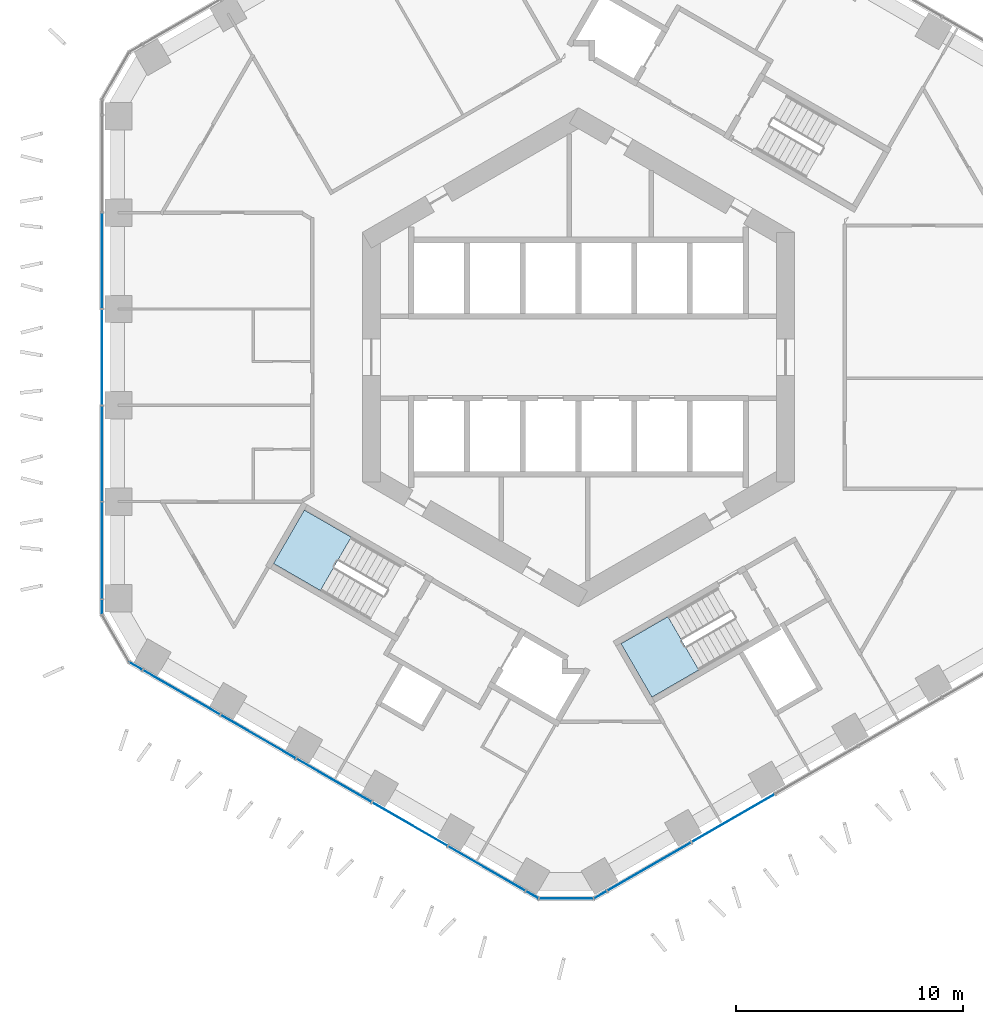
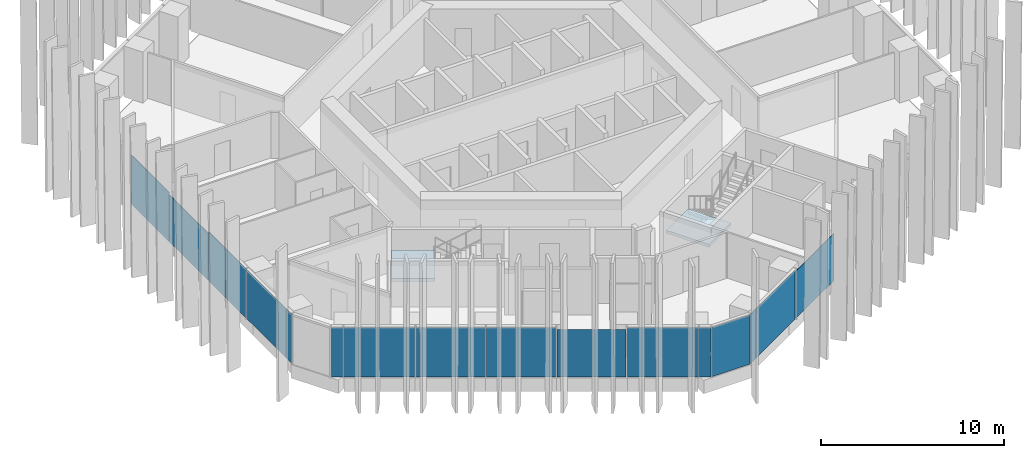
# One storey, part 8 of 19: 16 plates, 2 slabs, 7 elements without a shape of their own.
"""IFC4 building model written with IfcOpenShell, lengths in metres."""

import ifcopenshell
import ifcopenshell.guid

model = None  # the IFC model being written
_history = None  # IfcOwnerHistory: only IFC2X3 demands one
_inside = {}  # id of a spatial element -> (the spatial element, [elements in it])
_under = {}  # id of a project, library or spatial element -> (it, [spatial elements below it])
_declared = {}  # id of a project -> (the project, [libraries it declares])
_typed = {}  # id of a type object -> (the type object, [elements of that type])
_made_of = {}  # id of a material, layer set ... -> (it, [elements and type objects made of it])


def new_model(schema):
    """Start an empty IFC model of exactly this schema.

    Asked for "IFC4X3", IfcOpenShell would pick the latest addendum, in which some entities
    have other attributes; the version numbers below select the first issue.
    IFC2X3 requires an IfcOwnerHistory on every rooted entity: one is made here for all.
    """
    global model, _history
    if schema == "IFC4X3":
        model = ifcopenshell.file(schema_version=(4, 3, 0, 0))
    else:
        model = ifcopenshell.file(schema=schema)
    _inside.clear()
    _under.clear()
    _declared.clear()
    _typed.clear()
    _made_of.clear()
    _history = None
    if model.schema == "IFC2X3":
        org = make("IfcOrganization", Name="unknown")
        user = make(
            "IfcPersonAndOrganization",
            ThePerson=make("IfcPerson", FamilyName="unknown"),
            TheOrganization=org,
        )
        app = make(
            "IfcApplication",
            ApplicationDeveloper=org,
            Version="unknown",
            ApplicationFullName="unknown",
            ApplicationIdentifier="unknown",
        )
        _history = make(
            "IfcOwnerHistory",
            OwningUser=user,
            OwningApplication=app,
            ChangeAction="ADDED",
            CreationDate=0,
        )
    return model


def make(cls, **values):
    """One entity of the class cls with the attributes given. An attribute that is None is left unset."""
    return model.create_entity(
        cls, **{name: value for name, value in values.items() if value is not None}
    )


def rooted(cls, **values):
    """An entity with a GlobalId (a new one), such as an element, a storey or a relation."""
    return make(cls, GlobalId=ifcopenshell.guid.new(), OwnerHistory=_history, **values)


def si_unit(unit_type, name, prefix=None):
    """IfcSIUnit, for example si_unit("LENGTHUNIT", "METRE", prefix="MILLI")."""
    return make("IfcSIUnit", UnitType=unit_type, Prefix=prefix, Name=name)


def assignment(units):
    """IfcUnitAssignment: the units of a project."""
    return None if units is None else make("IfcUnitAssignment", Units=units)


def point(xyz):
    """IfcCartesianPoint."""
    return None if xyz is None else make("IfcCartesianPoint", Coordinates=xyz)


def direction(xyz):
    """IfcDirection."""
    return None if xyz is None else make("IfcDirection", DirectionRatios=xyz)


def frame(location, z_axis=None, x_axis=None):
    """IfcAxis2Placement3D, a coordinate frame: its origin and axes. An axis left out is left unset."""
    return make(
        "IfcAxis2Placement3D",
        Location=point(location),
        Axis=direction(z_axis),
        RefDirection=direction(x_axis),
    )


def frame_2d(location, x_axis=None):
    """IfcAxis2Placement2D, a coordinate frame in the plane: its origin and x axis."""
    return make(
        "IfcAxis2Placement2D", Location=point(location), RefDirection=direction(x_axis)
    )


def origin():
    """The frame at (0, 0, 0) with its axes left unset."""
    return frame((0.0, 0.0, 0.0))


def origin_2d():
    """The frame at (0, 0) in the plane with its x axis left unset."""
    return frame_2d((0.0, 0.0))


def place(relative_to, where):
    """IfcLocalPlacement: puts the frame where relative to a parent placement (None: the world)."""
    return make(
        "IfcLocalPlacement", PlacementRelTo=relative_to, RelativePlacement=where
    )


def context(
    kind, dimensions, precision=None, world=None, true_north=None, identifier=None
):
    """IfcGeometricRepresentationContext, for example the 3D "Model" context."""
    return make(
        "IfcGeometricRepresentationContext",
        ContextIdentifier=identifier,
        ContextType=kind,
        CoordinateSpaceDimension=dimensions,
        Precision=precision,
        WorldCoordinateSystem=world,
        TrueNorth=true_north,
    )


def subcontext(parent, identifier, kind, view, scale=None):
    """IfcGeometricRepresentationSubContext, for example "Body" below "Model"."""
    return make(
        "IfcGeometricRepresentationSubContext",
        ContextIdentifier=identifier,
        ContextType=kind,
        ParentContext=parent,
        TargetScale=scale,
        TargetView=view,
    )


def project(units=None, contexts=None):
    """IfcProject with its units and contexts."""
    return rooted(
        "IfcProject",
        Name="project",
        RepresentationContexts=contexts,
        UnitsInContext=assignment(units),
    )


def spatial(cls, under=None, at=None, **own):
    """A site, building, storey or space (cls), placed at a placement, below another one or the project."""
    s = rooted(cls, ObjectPlacement=at, **own)
    if under is not None:
        _under.setdefault(under.id(), (under, []))[1].append(s)
    return s


def polyline(points):
    """IfcPolyline through the points."""
    return make("IfcPolyline", Points=[point(p) for p in points])


def profile(cls, at=None, kind="AREA", **sizes):
    """A parametric profile (cls). Its sizes go by their IFC names, for example OverallWidth=200.0."""
    return make(cls, ProfileType=kind, Position=at, **sizes)


def rectangle(**sizes):
    """IfcRectangleProfileDef."""
    return profile("IfcRectangleProfileDef", **sizes)


def outline(outer, holes=None, kind="AREA"):
    """IfcArbitraryClosedProfileDef: a profile drawn as a closed curve; with holes, ...WithVoids."""
    if holes is None:
        return make("IfcArbitraryClosedProfileDef", ProfileType=kind, OuterCurve=outer)
    return make(
        "IfcArbitraryProfileDefWithVoids",
        ProfileType=kind,
        OuterCurve=outer,
        InnerCurves=holes,
    )


def extrude(swept, where, along, depth):
    """IfcExtrudedAreaSolid: the profile swept, set in the frame where, extruded along a direction by depth."""
    return make(
        "IfcExtrudedAreaSolid",
        SweptArea=swept,
        Position=where,
        ExtrudedDirection=direction(along),
        Depth=depth,
    )


def shape(context_of_items, identifier, shape_type, items):
    """IfcShapeRepresentation: the items that make up one representation, for example the "Body"."""
    return make(
        "IfcShapeRepresentation",
        ContextOfItems=context_of_items,
        RepresentationIdentifier=identifier,
        RepresentationType=shape_type,
        Items=items,
    )


def material(Name=None, Category=None):
    """IfcMaterial."""
    return make("IfcMaterial", Name=Name, Category=Category)


def layer(
    of_material, thickness, ventilated=None, Name=None, Category=None, Priority=None
):
    """IfcMaterialLayer: one layer of a wall or slab, of a material (None: an air gap)."""
    return make(
        "IfcMaterialLayer",
        Material=of_material,
        LayerThickness=thickness,
        IsVentilated=ventilated,
        Name=Name,
        Category=Category,
        Priority=Priority,
    )


def layer_set(layers, Name=None):
    """IfcMaterialLayerSet."""
    return make("IfcMaterialLayerSet", MaterialLayers=layers, LayerSetName=Name)


def made_of(thing, what):
    """Note that an element or type object is made of a material, layer set ...; save() writes the relation."""
    if what is not None:
        _made_of.setdefault(what.id(), (what, []))[1].append(thing)
    return thing


def type_object(cls, material=None, **own):
    """A type object (cls), such as IfcWallType, which elements share."""
    return made_of(rooted(cls, **own), material)


def element(
    cls,
    number,
    at=None,
    inside=None,
    cuts=None,
    type_object=None,
    material=None,
    context=None,
    identifier="Body",
    shape_type=None,
    held_by="IfcProductDefinitionShape",
    body=None,
    shapes=None,
    **own,
):
    """One element of the class cls, such as IfcWall. Its Tag is "e" and its number.

    at: its placement. inside: the storey or other place that contains it. cuts: it is an
    opening in that element (IfcRelVoidsElement). A single representation is given by context,
    identifier, shape_type and body (its items); several are given by shapes. held_by: the class
    of the entity that holds the representations. save() writes the other relations.
    """
    e = rooted(cls, Tag="e%d" % number, ObjectPlacement=at, **own)
    if body is not None:
        shapes = [shape(context, identifier, shape_type, body)]
    if shapes is not None:
        e.Representation = make(held_by, Representations=shapes)
    if inside is not None:
        _inside.setdefault(inside.id(), (inside, []))[1].append(e)
    if cuts is not None:
        rooted(
            "IfcRelVoidsElement", RelatingBuildingElement=cuts, RelatedOpeningElement=e
        )
    if type_object is not None:
        _typed.setdefault(type_object.id(), (type_object, []))[1].append(e)
    return made_of(e, material)


def aggregate(whole, parts):
    """IfcRelAggregates: a whole, such as a stair, and the parts it consists of."""
    return rooted("IfcRelAggregates", RelatingObject=whole, RelatedObjects=parts)


def save(model, path):
    """Write the relations noted so far, then the file.

    IfcRelAggregates (storeys below a building ...), IfcRelContainedInSpatialStructure (elements
    in a storey), IfcRelDefinesByType, IfcRelAssociatesMaterial and IfcRelDeclares: one each for
    every whole, place, type object, material and project.
    """
    for whole, parts in _under.values():
        aggregate(whole, parts)
    for where, things in _inside.values():
        rooted(
            "IfcRelContainedInSpatialStructure",
            RelatedElements=things,
            RelatingStructure=where,
        )
    for kind, things in _typed.values():
        rooted("IfcRelDefinesByType", RelatedObjects=things, RelatingType=kind)
    for what, things in _made_of.values():
        rooted("IfcRelAssociatesMaterial", RelatedObjects=things, RelatingMaterial=what)
    for by, libraries in _declared.values():
        rooted("IfcRelDeclares", RelatingContext=by, RelatedDefinitions=libraries)
    model.write(path)


model = new_model("IFC4")

# Units and contexts
model_context = context("Model", 3, precision=1e-05, world=origin(), true_north=direction((0.0, 1.0)))
body_context = subcontext(model_context, "Body", "Model", "MODEL_VIEW")
ifc_project = project(units=[si_unit("LENGTHUNIT", "METRE"), si_unit("AREAUNIT", "SQUARE_METRE"), si_unit("VOLUMEUNIT", "CUBIC_METRE"), si_unit("PLANEANGLEUNIT", "RADIAN"), si_unit("MASSUNIT", "GRAM", prefix="KILO")], contexts=[model_context])

# Site, building, storey
site_placement = place(None, origin())
site = spatial("IfcSite", under=ifc_project, at=site_placement, CompositionType="ELEMENT")
building_placement = place(site_placement, origin())
building = spatial("IfcBuilding", under=site, at=building_placement, Name="Ayvan Gate Tower", CompositionType="ELEMENT")
storey_placement = place(building_placement, frame((0.0, 0.0, 56.10009765625)))
storey = spatial("IfcBuildingStorey", under=building, at=storey_placement, Name="L14", CompositionType="ELEMENT", Elevation=56.10009765625)

# Stair, slab
ifc_material_1 = material(Name="Concrete C40/50", Category="concrete")
stair_type = type_object("IfcStairType", Name="ST-EXIT", PredefinedType="HALF_TURN_STAIR", material=ifc_material_1)
stair_1_placement = place(storey_placement, origin())
stair_1 = element("IfcStair", 1, at=stair_1_placement, inside=storey, type_object=stair_type, Name="L14 Exit Stair S2", PredefinedType="HALF_TURN_STAIR")
ifc_layer_1 = layer(ifc_material_1, 0.199951171875)
ifc_layer_set_1 = layer_set([ifc_layer_1], Name="Concrete C40/50")
slab_type = type_object("IfcSlabType", Name="SL-LANDING-200", PredefinedType="LANDING", material=ifc_layer_set_1)
slab_1_placement = place(storey_placement, frame((0.0, 0.0, 1.5)))
slab_1 = element("IfcSlab", 2, at=slab_1_placement, type_object=slab_type, Name="STS2 landing 1", PredefinedType="LANDING", context=body_context, shape_type="SweptSolid", body=[
    extrude(outline(polyline([(-9.988525390625, -7.91064453125), (-12.049560546875, -6.720458984375), (-13.404541015625, -9.0673828125), (-11.343505859375, -10.257568359375), (-9.988525390625, -7.91064453125)])), origin(), (0.0, 0.0, 1.0), 0.199951171875),
])
aggregate(stair_1, [slab_1])

stair_2_placement = place(storey_placement, origin())
stair_2 = element("IfcStair", 3, at=stair_2_placement, inside=storey, type_object=stair_type, Name="L14 Exit Stair S3", PredefinedType="HALF_TURN_STAIR")
slab_2_placement = place(storey_placement, frame((0.0, 0.0, 1.5)))
slab_2 = element("IfcSlab", 4, at=slab_2_placement, type_object=slab_type, Name="STS3 landing 1", PredefinedType="LANDING", context=body_context, shape_type="SweptSolid", body=[
    extrude(outline(polyline([(3.93505859375, -11.405517578125), (1.873779296875, -12.595458984375), (3.228759765625, -14.9423828125), (5.2900390625, -13.75244140625), (3.93505859375, -11.405517578125)])), origin(), (0.0, 0.0, 1.0), 0.199951171875),
])
aggregate(stair_2, [slab_2])

# Curtain wall, plates
ifc_material_2 = material(Name="Bronze anodised aluminium", Category="aluminium")
ifc_layer_2 = layer(ifc_material_2, 0.199951171875)
ifc_layer_set_2 = layer_set([ifc_layer_2], Name="Bronze anodised aluminium")
curtain_wall_type_1 = type_object("IfcCurtainWallType", Name="Stick curtain wall CW-1", PredefinedType="NOTDEFINED", material=ifc_layer_set_2)
curtain_wall_1_placement = place(storey_placement, origin())
curtain_wall_1 = element("IfcCurtainWall", 5, at=curtain_wall_1_placement, inside=storey, type_object=curtain_wall_type_1, Name="Stick curtain wall CW-1 L14", PredefinedType="NOTDEFINED")
ifc_material_3 = material(Name="Clear low-iron laminated glass", Category="glass")
ifc_layer_3 = layer(ifc_material_3, 0.028076171875)
ifc_layer_set_3 = layer_set([ifc_layer_3], Name="Clear low-iron laminated glass")
plate_type_1 = type_object("IfcPlateType", Name="Stick curtain wall CW-1 glass panel", PredefinedType="CURTAIN_PANEL", material=ifc_layer_set_3)
plate_1_placement = place(storey_placement, frame((-20.950439453125, 4.237548828125, 0.0), z_axis=(0.0, 0.0, 1.0), x_axis=(0.0, -1.0, 0.0)))
plate_1 = element("IfcPlate", 6, at=plate_1_placement, type_object=plate_type_1, Name="CW-1 glass panel 2", PredefinedType="CURTAIN_PANEL", context=body_context, shape_type="SweptSolid", body=[
    extrude(rectangle(XDim=4.177978515625, YDim=0.028076171875, at=origin_2d()), origin(), (0.0, 0.0, 1.0), 3.280029296875),
])
plate_2_placement = place(storey_placement, frame((-20.950439453125, 0.0, 0.0), z_axis=(0.0, 0.0, 1.0), x_axis=(0.0, -1.0, 0.0)))
plate_2 = element("IfcPlate", 7, at=plate_2_placement, type_object=plate_type_1, Name="CW-1 glass panel 3", PredefinedType="CURTAIN_PANEL", context=body_context, shape_type="SweptSolid", body=[
    extrude(rectangle(XDim=4.177001953125, YDim=0.028076171875, at=origin_2d()), origin(), (0.0, 0.0, 1.0), 3.14990234375),
])
plate_3_placement = place(storey_placement, frame((-20.950439453125, -4.237548828125, 0.0), z_axis=(0.0, 0.0, 1.0), x_axis=(0.0, -1.0, 0.0)))
plate_3 = element("IfcPlate", 8, at=plate_3_placement, type_object=plate_type_1, Name="CW-1 glass panel 4", PredefinedType="CURTAIN_PANEL", context=body_context, shape_type="SweptSolid", body=[
    extrude(rectangle(XDim=4.177978515625, YDim=0.028076171875, at=origin_2d()), origin(), (0.0, 0.0, 1.0), 3.280029296875),
])
plate_4_placement = place(storey_placement, frame((-20.950439453125, -8.512451171875, 0.0), z_axis=(0.0, 0.0, 1.0), x_axis=(0.0, -1.0, 0.0)))
plate_4 = element("IfcPlate", 9, at=plate_4_placement, type_object=plate_type_1, Name="CW-1 glass panel 5", PredefinedType="CURTAIN_PANEL", context=body_context, shape_type="SweptSolid", body=[
    extrude(rectangle(XDim=4.251953125, YDim=0.028076171875, at=origin_2d()), origin(), (0.0, 0.0, 1.0), 3.280029296875),
])
aggregate(curtain_wall_1, [plate_1, plate_2, plate_3, plate_4])

curtain_wall_2_placement = place(storey_placement, origin())
curtain_wall_2 = element("IfcCurtainWall", 10, at=curtain_wall_2_placement, inside=storey, type_object=curtain_wall_type_1, Name="Stick curtain wall CW-1 L14", PredefinedType="NOTDEFINED")
plate_5_placement = place(storey_placement, frame((-17.4599609375, -14.727783203125, 0.0), z_axis=(0.0, 0.0, 1.0), x_axis=(0.866025403784, -0.5, 0.0)))
plate_5 = element("IfcPlate", 11, at=plate_5_placement, type_object=plate_type_1, Name="CW-1 glass panel 1", PredefinedType="CURTAIN_PANEL", context=body_context, shape_type="SweptSolid", body=[
    extrude(rectangle(XDim=3.9130859375, YDim=0.028076171875, at=origin_2d()), origin(), (0.0, 0.0, 1.0), 3.280029296875),
])
plate_6_placement = place(storey_placement, frame((-14.07373046875, -16.682861328125, 0.0), z_axis=(0.0, 0.0, 1.0), x_axis=(0.866025403784, -0.5, 0.0)))
plate_6 = element("IfcPlate", 12, at=plate_6_placement, type_object=plate_type_1, Name="CW-1 glass panel 2", PredefinedType="CURTAIN_PANEL", context=body_context, shape_type="SweptSolid", body=[
    extrude(rectangle(XDim=3.787109375, YDim=0.028076171875, at=origin_2d()), origin(), (0.0, 0.0, 1.0), 3.280029296875),
])
plate_7_placement = place(storey_placement, frame((-10.7421875, -18.606201171875, 0.0), z_axis=(0.0, 0.0, 1.0), x_axis=(0.866025403784, -0.5, 0.0)))
plate_7 = element("IfcPlate", 13, at=plate_7_placement, type_object=plate_type_1, Name="CW-1 glass panel 3", PredefinedType="CURTAIN_PANEL", context=body_context, shape_type="SweptSolid", body=[
    extrude(rectangle(XDim=3.787109375, YDim=0.028076171875, at=origin_2d()), origin(), (0.0, 0.0, 1.0), 3.280029296875),
])
plate_8_placement = place(storey_placement, frame((-7.41064453125, -20.52978515625, 0.0), z_axis=(0.0, 0.0, 1.0), x_axis=(0.866025403784, -0.5, 0.0)))
plate_8 = element("IfcPlate", 14, at=plate_8_placement, type_object=plate_type_1, Name="CW-1 glass panel 4", PredefinedType="CURTAIN_PANEL", context=body_context, shape_type="SweptSolid", body=[
    extrude(rectangle(XDim=3.787109375, YDim=0.028076171875, at=origin_2d()), origin(), (0.0, 0.0, 1.0), 3.14990234375),
])
plate_9_placement = place(storey_placement, frame((-4.024658203125, -22.484619140625, 0.0), z_axis=(0.0, 0.0, 1.0), x_axis=(0.866025403784, -0.5, 0.0)))
plate_9 = element("IfcPlate", 15, at=plate_9_placement, type_object=plate_type_1, Name="CW-1 glass panel 5", PredefinedType="CURTAIN_PANEL", context=body_context, shape_type="SweptSolid", body=[
    extrude(rectangle(XDim=3.91259765625, YDim=0.028076171875, at=origin_2d()), origin(), (0.0, 0.0, 1.0), 3.280029296875),
])
aggregate(curtain_wall_2, [plate_5, plate_6, plate_7, plate_8, plate_9])

curtain_wall_3_placement = place(storey_placement, origin())
curtain_wall_3 = element("IfcCurtainWall", 16, at=curtain_wall_3_placement, inside=storey, type_object=curtain_wall_type_1, Name="Stick curtain wall CW-1 L14", PredefinedType="NOTDEFINED")
plate_10_placement = place(storey_placement, frame((3.103271484375, -22.39990234375, 0.0), z_axis=(0.0, 0.0, 1.0), x_axis=(0.866025403784, 0.5, 0.0)))
plate_10 = element("IfcPlate", 17, at=plate_10_placement, type_object=plate_type_1, Name="CW-1 glass panel 1", PredefinedType="CURTAIN_PANEL", context=body_context, shape_type="SweptSolid", body=[
    extrude(rectangle(XDim=4.251953125, YDim=0.028076171875, at=origin_2d()), origin(), (0.0, 0.0, 1.0), 3.280029296875),
])
plate_11_placement = place(storey_placement, frame((6.805419921875, -20.262451171875, 0.0), z_axis=(0.0, 0.0, 1.0), x_axis=(0.866025403784, 0.5, 0.0)))
plate_11 = element("IfcPlate", 18, at=plate_11_placement, type_object=plate_type_1, Name="CW-1 glass panel 2", PredefinedType="CURTAIN_PANEL", context=body_context, shape_type="SweptSolid", body=[
    extrude(rectangle(XDim=4.177978515625, YDim=0.028076171875, at=origin_2d()), origin(), (0.0, 0.0, 1.0), 3.14990234375),
])
aggregate(curtain_wall_3, [plate_10, plate_11])

ifc_layer_4 = layer(ifc_material_2, 0.199951171875)
ifc_layer_set_4 = layer_set([ifc_layer_4], Name="Bronze anodised aluminium")
curtain_wall_type_2 = type_object("IfcCurtainWallType", Name="Stick curtain wall CW-6", PredefinedType="NOTDEFINED", material=ifc_layer_set_4)
curtain_wall_4_placement = place(storey_placement, origin())
curtain_wall_4 = element("IfcCurtainWall", 19, at=curtain_wall_4_placement, inside=storey, type_object=curtain_wall_type_2, Name="Stick curtain wall CW-6 L14", PredefinedType="NOTDEFINED")
ifc_layer_5 = layer(ifc_material_3, 0.028076171875)
ifc_layer_set_5 = layer_set([ifc_layer_5], Name="Clear low-iron laminated glass")
plate_type_2 = type_object("IfcPlateType", Name="Stick curtain wall CW-6 glass panel", PredefinedType="CURTAIN_PANEL", material=ifc_layer_set_5)
plate_12_placement = place(storey_placement, frame((-20.950439453125, -10.98095703125, 0.0), z_axis=(0.0, 0.0, 1.0), x_axis=(0.0, -1.0, 0.0)))
plate_12 = element("IfcPlate", 20, at=plate_12_placement, type_object=plate_type_2, Name="CW-6 glass panel 1", PredefinedType="CURTAIN_PANEL", context=body_context, shape_type="SweptSolid", body=[
    extrude(rectangle(XDim=0.625, YDim=0.028076171875, at=origin_2d()), origin(), (0.0, 0.0, 1.0), 3.280029296875),
])
plate_13_placement = place(storey_placement, frame((-19.450927734375, -13.578369140625, 0.0), z_axis=(0.0, 0.0, 1.0), x_axis=(0.866025403784, -0.5, 0.0)))
plate_13 = element("IfcPlate", 21, at=plate_13_placement, type_object=plate_type_2, Name="CW-6 glass panel 3", PredefinedType="CURTAIN_PANEL", context=body_context, shape_type="SweptSolid", body=[
    extrude(rectangle(XDim=0.625, YDim=0.028076171875, at=origin_2d()), origin(), (0.0, 0.0, 1.0), 3.280029296875),
])
aggregate(curtain_wall_4, [plate_12, plate_13])

curtain_wall_5_placement = place(storey_placement, origin())
curtain_wall_5 = element("IfcCurtainWall", 22, at=curtain_wall_5_placement, inside=storey, type_object=curtain_wall_type_2, Name="Stick curtain wall CW-6 L14", PredefinedType="NOTDEFINED")
plate_14_placement = place(storey_placement, frame((-2.03369140625, -23.634033203125, 0.0), z_axis=(0.0, 0.0, 1.0), x_axis=(0.866025403784, -0.5, 0.0)))
plate_14 = element("IfcPlate", 23, at=plate_14_placement, type_object=plate_type_2, Name="CW-6 glass panel 1", PredefinedType="CURTAIN_PANEL", context=body_context, shape_type="SweptSolid", body=[
    extrude(rectangle(XDim=0.625, YDim=0.028076171875, at=origin_2d()), origin(), (0.0, 0.0, 1.0), 3.280029296875),
])
plate_15_placement = place(storey_placement, frame((-0.5341796875, -23.802978515625, 0.0), z_axis=(0.0, 0.0, 1.0), x_axis=(1.0, 0.0, 0.0)))
plate_15 = element("IfcPlate", 24, at=plate_15_placement, type_object=plate_type_2, Name="CW-6 glass panel 2", PredefinedType="CURTAIN_PANEL", context=body_context, shape_type="SweptSolid", body=[
    extrude(rectangle(XDim=2.364501953125, YDim=0.028076171875, at=origin_2d()), origin(), (0.0, 0.0, 1.0), 3.280029296875),
])
plate_16_placement = place(storey_placement, frame((0.96533203125, -23.634033203125, 0.0), z_axis=(0.0, 0.0, 1.0), x_axis=(0.866025403784, 0.5, 0.0)))
plate_16 = element("IfcPlate", 25, at=plate_16_placement, type_object=plate_type_2, Name="CW-6 glass panel 3", PredefinedType="CURTAIN_PANEL", context=body_context, shape_type="SweptSolid", body=[
    extrude(rectangle(XDim=0.625, YDim=0.028076171875, at=origin_2d()), origin(), (0.0, 0.0, 1.0), 3.280029296875),
])
aggregate(curtain_wall_5, [plate_14, plate_15, plate_16])

save(model, "model.ifc")
